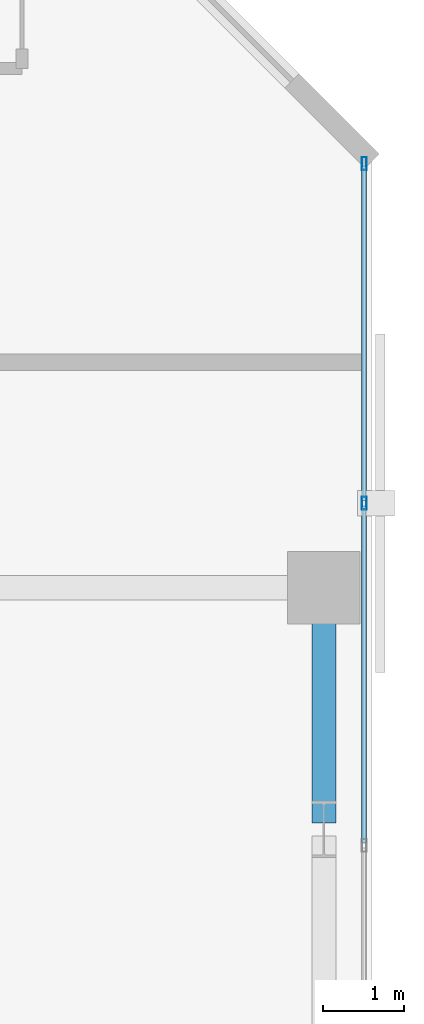
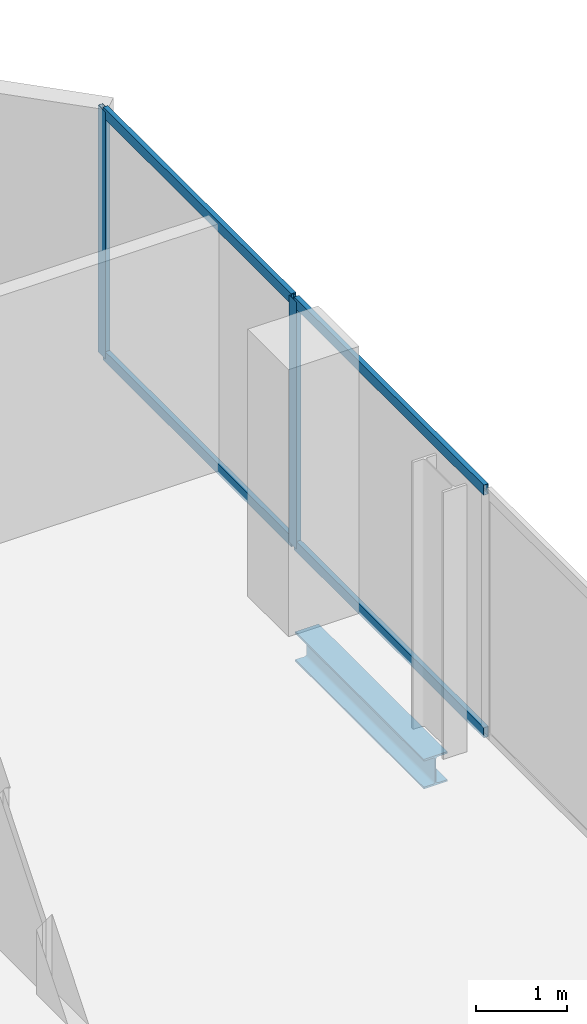
# One storey, part 26 of 34: 6 members, 1 beam, 1 element without a shape of its own.
"""IFC4 building model written with IfcOpenShell, lengths in metres."""

import ifcopenshell
import ifcopenshell.guid

model = None  # the IFC model being written
_history = None  # IfcOwnerHistory: only IFC2X3 demands one
_inside = {}  # id of a spatial element -> (the spatial element, [elements in it])
_under = {}  # id of a project, library or spatial element -> (it, [spatial elements below it])
_declared = {}  # id of a project -> (the project, [libraries it declares])
_typed = {}  # id of a type object -> (the type object, [elements of that type])
_made_of = {}  # id of a material, layer set ... -> (it, [elements and type objects made of it])


def new_model(schema):
    """Start an empty IFC model of exactly this schema.

    Asked for "IFC4X3", IfcOpenShell would pick the latest addendum, in which some entities
    have other attributes; the version numbers below select the first issue.
    IFC2X3 requires an IfcOwnerHistory on every rooted entity: one is made here for all.
    """
    global model, _history
    if schema == "IFC4X3":
        model = ifcopenshell.file(schema_version=(4, 3, 0, 0))
    else:
        model = ifcopenshell.file(schema=schema)
    _inside.clear()
    _under.clear()
    _declared.clear()
    _typed.clear()
    _made_of.clear()
    _history = None
    if model.schema == "IFC2X3":
        org = make("IfcOrganization", Name="unknown")
        user = make(
            "IfcPersonAndOrganization",
            ThePerson=make("IfcPerson", FamilyName="unknown"),
            TheOrganization=org,
        )
        app = make(
            "IfcApplication",
            ApplicationDeveloper=org,
            Version="unknown",
            ApplicationFullName="unknown",
            ApplicationIdentifier="unknown",
        )
        _history = make(
            "IfcOwnerHistory",
            OwningUser=user,
            OwningApplication=app,
            ChangeAction="ADDED",
            CreationDate=0,
        )
    return model


def make(cls, **values):
    """One entity of the class cls with the attributes given. An attribute that is None is left unset."""
    return model.create_entity(
        cls, **{name: value for name, value in values.items() if value is not None}
    )


def rooted(cls, **values):
    """An entity with a GlobalId (a new one), such as an element, a storey or a relation."""
    return make(cls, GlobalId=ifcopenshell.guid.new(), OwnerHistory=_history, **values)


def si_unit(unit_type, name, prefix=None):
    """IfcSIUnit, for example si_unit("LENGTHUNIT", "METRE", prefix="MILLI")."""
    return make("IfcSIUnit", UnitType=unit_type, Prefix=prefix, Name=name)


def assignment(units):
    """IfcUnitAssignment: the units of a project."""
    return None if units is None else make("IfcUnitAssignment", Units=units)


def point(xyz):
    """IfcCartesianPoint."""
    return None if xyz is None else make("IfcCartesianPoint", Coordinates=xyz)


def direction(xyz):
    """IfcDirection."""
    return None if xyz is None else make("IfcDirection", DirectionRatios=xyz)


def frame(location, z_axis=None, x_axis=None):
    """IfcAxis2Placement3D, a coordinate frame: its origin and axes. An axis left out is left unset."""
    return make(
        "IfcAxis2Placement3D",
        Location=point(location),
        Axis=direction(z_axis),
        RefDirection=direction(x_axis),
    )


def frame_2d(location, x_axis=None):
    """IfcAxis2Placement2D, a coordinate frame in the plane: its origin and x axis."""
    return make(
        "IfcAxis2Placement2D", Location=point(location), RefDirection=direction(x_axis)
    )


def origin():
    """The frame at (0, 0, 0) with its axes left unset."""
    return frame((0.0, 0.0, 0.0))


def origin_2d():
    """The frame at (0, 0) in the plane with its x axis left unset."""
    return frame_2d((0.0, 0.0))


def place(relative_to, where):
    """IfcLocalPlacement: puts the frame where relative to a parent placement (None: the world)."""
    return make(
        "IfcLocalPlacement", PlacementRelTo=relative_to, RelativePlacement=where
    )


def context(
    kind, dimensions, precision=None, world=None, true_north=None, identifier=None
):
    """IfcGeometricRepresentationContext, for example the 3D "Model" context."""
    return make(
        "IfcGeometricRepresentationContext",
        ContextIdentifier=identifier,
        ContextType=kind,
        CoordinateSpaceDimension=dimensions,
        Precision=precision,
        WorldCoordinateSystem=world,
        TrueNorth=true_north,
    )


def subcontext(parent, identifier, kind, view, scale=None):
    """IfcGeometricRepresentationSubContext, for example "Body" below "Model"."""
    return make(
        "IfcGeometricRepresentationSubContext",
        ContextIdentifier=identifier,
        ContextType=kind,
        ParentContext=parent,
        TargetScale=scale,
        TargetView=view,
    )


def project(units=None, contexts=None):
    """IfcProject with its units and contexts."""
    return rooted(
        "IfcProject",
        Name="project",
        RepresentationContexts=contexts,
        UnitsInContext=assignment(units),
    )


def spatial(cls, under=None, at=None, **own):
    """A site, building, storey or space (cls), placed at a placement, below another one or the project."""
    s = rooted(cls, ObjectPlacement=at, **own)
    if under is not None:
        _under.setdefault(under.id(), (under, []))[1].append(s)
    return s


def profile(cls, at=None, kind="AREA", **sizes):
    """A parametric profile (cls). Its sizes go by their IFC names, for example OverallWidth=200.0."""
    return make(cls, ProfileType=kind, Position=at, **sizes)


def hollow_rectangle(**sizes):
    """IfcRectangleHollowProfileDef."""
    return profile("IfcRectangleHollowProfileDef", **sizes)


def i_section(**sizes):
    """IfcIShapeProfileDef."""
    return profile("IfcIShapeProfileDef", **sizes)


def extrude(swept, where, along, depth):
    """IfcExtrudedAreaSolid: the profile swept, set in the frame where, extruded along a direction by depth."""
    return make(
        "IfcExtrudedAreaSolid",
        SweptArea=swept,
        Position=where,
        ExtrudedDirection=direction(along),
        Depth=depth,
    )


def shape(context_of_items, identifier, shape_type, items):
    """IfcShapeRepresentation: the items that make up one representation, for example the "Body"."""
    return make(
        "IfcShapeRepresentation",
        ContextOfItems=context_of_items,
        RepresentationIdentifier=identifier,
        RepresentationType=shape_type,
        Items=items,
    )


def material(Name=None, Category=None):
    """IfcMaterial."""
    return make("IfcMaterial", Name=Name, Category=Category)


def layer(
    of_material, thickness, ventilated=None, Name=None, Category=None, Priority=None
):
    """IfcMaterialLayer: one layer of a wall or slab, of a material (None: an air gap)."""
    return make(
        "IfcMaterialLayer",
        Material=of_material,
        LayerThickness=thickness,
        IsVentilated=ventilated,
        Name=Name,
        Category=Category,
        Priority=Priority,
    )


def layer_set(layers, Name=None):
    """IfcMaterialLayerSet."""
    return make("IfcMaterialLayerSet", MaterialLayers=layers, LayerSetName=Name)


def material_profile(
    of_material, cross_section, Name=None, Category=None, Priority=None
):
    """IfcMaterialProfile: a cross section and its material."""
    return make(
        "IfcMaterialProfile",
        Name=Name,
        Material=of_material,
        Profile=cross_section,
        Priority=Priority,
        Category=Category,
    )


def profile_set(profiles, Name=None, composite=None):
    """IfcMaterialProfileSet."""
    return make(
        "IfcMaterialProfileSet",
        Name=Name,
        MaterialProfiles=profiles,
        CompositeProfile=composite,
    )


def made_of(thing, what):
    """Note that an element or type object is made of a material, layer set ...; save() writes the relation."""
    if what is not None:
        _made_of.setdefault(what.id(), (what, []))[1].append(thing)
    return thing


def type_object(cls, material=None, **own):
    """A type object (cls), such as IfcWallType, which elements share."""
    return made_of(rooted(cls, **own), material)


def element(
    cls,
    number,
    at=None,
    inside=None,
    cuts=None,
    type_object=None,
    material=None,
    context=None,
    identifier="Body",
    shape_type=None,
    held_by="IfcProductDefinitionShape",
    body=None,
    shapes=None,
    **own,
):
    """One element of the class cls, such as IfcWall. Its Tag is "e" and its number.

    at: its placement. inside: the storey or other place that contains it. cuts: it is an
    opening in that element (IfcRelVoidsElement). A single representation is given by context,
    identifier, shape_type and body (its items); several are given by shapes. held_by: the class
    of the entity that holds the representations. save() writes the other relations.
    """
    e = rooted(cls, Tag="e%d" % number, ObjectPlacement=at, **own)
    if body is not None:
        shapes = [shape(context, identifier, shape_type, body)]
    if shapes is not None:
        e.Representation = make(held_by, Representations=shapes)
    if inside is not None:
        _inside.setdefault(inside.id(), (inside, []))[1].append(e)
    if cuts is not None:
        rooted(
            "IfcRelVoidsElement", RelatingBuildingElement=cuts, RelatedOpeningElement=e
        )
    if type_object is not None:
        _typed.setdefault(type_object.id(), (type_object, []))[1].append(e)
    return made_of(e, material)


def aggregate(whole, parts):
    """IfcRelAggregates: a whole, such as a stair, and the parts it consists of."""
    return rooted("IfcRelAggregates", RelatingObject=whole, RelatedObjects=parts)


def save(model, path):
    """Write the relations noted so far, then the file.

    IfcRelAggregates (storeys below a building ...), IfcRelContainedInSpatialStructure (elements
    in a storey), IfcRelDefinesByType, IfcRelAssociatesMaterial and IfcRelDeclares: one each for
    every whole, place, type object, material and project.
    """
    for whole, parts in _under.values():
        aggregate(whole, parts)
    for where, things in _inside.values():
        rooted(
            "IfcRelContainedInSpatialStructure",
            RelatedElements=things,
            RelatingStructure=where,
        )
    for kind, things in _typed.values():
        rooted("IfcRelDefinesByType", RelatedObjects=things, RelatingType=kind)
    for what, things in _made_of.values():
        rooted("IfcRelAssociatesMaterial", RelatedObjects=things, RelatingMaterial=what)
    for by, libraries in _declared.values():
        rooted("IfcRelDeclares", RelatingContext=by, RelatedDefinitions=libraries)
    model.write(path)


model = new_model("IFC4")

# Units and contexts
model_context = context("Model", 3, precision=1e-05, world=origin(), true_north=direction((0.0, 1.0)))
body_context = subcontext(model_context, "Body", "Model", "MODEL_VIEW")
ifc_project = project(units=[si_unit("LENGTHUNIT", "METRE"), si_unit("AREAUNIT", "SQUARE_METRE"), si_unit("VOLUMEUNIT", "CUBIC_METRE"), si_unit("PLANEANGLEUNIT", "RADIAN"), si_unit("MASSUNIT", "GRAM", prefix="KILO")], contexts=[model_context])

# Site, building, storey
site_placement = place(None, origin())
site = spatial("IfcSite", under=ifc_project, at=site_placement, CompositionType="ELEMENT")
building_placement = place(site_placement, origin())
building = spatial("IfcBuilding", under=site, at=building_placement, Name="Catumbela Crestline Tower", CompositionType="ELEMENT")
storey_placement = place(building_placement, frame((0.0, 0.0, 93.6)))
storey = spatial("IfcBuildingStorey", under=building, at=storey_placement, Name="L23", CompositionType="ELEMENT", Elevation=93.6)

# Curtain wall, members
ifc_material_1 = material(Name="Aluminium alloy AW-6060-T66", Category="aluminium")
ifc_layer = layer(ifc_material_1, 0.18, Name="Aluminium alloy AW-6060-T66")
ifc_layer_set = layer_set([ifc_layer], Name="Aluminium alloy AW-6060-T66")
curtain_wall_type = type_object("IfcCurtainWallType", Name="CWU-Z2", PredefinedType="USERDEFINED", material=ifc_layer_set)
curtain_wall_placement = place(storey_placement, origin())
curtain_wall = element("IfcCurtainWall", 1, at=curtain_wall_placement, inside=storey, type_object=curtain_wall_type, Name="L23 Unitised Curtain Wall CW-L23-E5S1", ObjectType="UNITISED", PredefinedType="USERDEFINED")
ifc_material_profile_1 = material_profile(ifc_material_1, hollow_rectangle(XDim=0.06, YDim=0.16, WallThickness=0.004, at=origin_2d()), Name="ALU 160x60x4")
ifc_profile_set_1 = profile_set([ifc_material_profile_1], Name="Aluminium alloy AW-6060-T66")
member_type_1 = type_object("IfcMemberType", Name="MUL-160X60", PredefinedType="MULLION", material=ifc_profile_set_1)
member_1_placement = place(storey_placement, frame((50.9, 40.25, 0.0), z_axis=(0.0, 0.0, 1.0), x_axis=(-1.0, 0.0, 0.0)))
member_1 = element("IfcMember", 2, at=member_1_placement, type_object=member_type_1, Name="CWU-Z2 mullion 4", PredefinedType="MULLION", context=body_context, shape_type="SweptSolid", body=[
    extrude(hollow_rectangle(XDim=0.06, YDim=0.16, WallThickness=0.004, at=origin_2d()), origin(), (0.0, 0.0, 1.0), 3.33),
])
member_2_placement = place(storey_placement, frame((50.9, 44.4675, 0.0), z_axis=(0.0, 0.0, 1.0), x_axis=(-1.0, 0.0, 0.0)))
member_2 = element("IfcMember", 3, at=member_2_placement, type_object=member_type_1, Name="CWU-Z2 mullion 5", PredefinedType="MULLION", context=body_context, shape_type="SweptSolid", body=[
    extrude(hollow_rectangle(XDim=0.06, YDim=0.16, WallThickness=0.004, at=origin_2d()), origin(), (0.0, 0.0, 1.0), 3.33),
])

# Beam
ifc_material_2 = material(Name="Structural steel S355J2", Category="steel")
ifc_material_profile_2 = material_profile(ifc_material_2, i_section(OverallWidth=0.3, OverallDepth=0.4, WebThickness=0.0135, FlangeThickness=0.024, FilletRadius=0.027, at=origin_2d()), Name="HEB 400")
ifc_profile_set_2 = profile_set([ifc_material_profile_2], Name="Structural steel S355J2")
beam_type = type_object("IfcBeamType", Name="BS-HEB400", PredefinedType="SPANDREL", material=ifc_profile_set_2)
beam_placement = place(storey_placement, frame((50.4, 36.28, -0.46), z_axis=(0.0, 1.0, 0.0), x_axis=(-1.0, 0.0, 0.0)))
element("IfcBeam", 4, at=beam_placement, inside=storey, type_object=beam_type, Name="L23 Spandrel SP-L23-SN36", PredefinedType="SPANDREL", context=body_context, shape_type="SweptSolid", body=[
    extrude(i_section(OverallWidth=0.3, OverallDepth=0.4, WebThickness=0.0135, FlangeThickness=0.024, FilletRadius=0.027, at=origin_2d()), origin(), (0.0, 0.0, 1.0), 2.84),
])

# Member
ifc_material_profile_3 = material_profile(ifc_material_1, hollow_rectangle(XDim=0.06, YDim=0.14, WallThickness=0.004, at=origin_2d()), Name="ALU 140x60x4")
ifc_profile_set_3 = profile_set([ifc_material_profile_3], Name="Aluminium alloy AW-6060-T66")
member_type_2 = type_object("IfcMemberType", Name="TRN-140X60", PredefinedType="USERDEFINED", material=ifc_profile_set_3)
member_3_placement = place(storey_placement, frame((50.9, 36.0325, 0.03), z_axis=(0.0, 1.0, 0.0), x_axis=(-1.0, 0.0, 0.0)))
member_3 = element("IfcMember", 5, at=member_3_placement, type_object=member_type_2, Name="CWU-Z2 transom 3.1", ObjectType="TRANSOM", PredefinedType="USERDEFINED", context=body_context, shape_type="SweptSolid", body=[
    extrude(hollow_rectangle(XDim=0.06, YDim=0.14, WallThickness=0.004, at=origin_2d()), origin(), (0.0, 0.0, 1.0), 4.185),
])

member_4_placement = place(storey_placement, frame((50.9, 36.0325, 3.3), z_axis=(0.0, 1.0, 0.0), x_axis=(-1.0, 0.0, 0.0)))
member_4 = element("IfcMember", 6, at=member_4_placement, type_object=member_type_2, Name="CWU-Z2 transom 3.2", ObjectType="TRANSOM", PredefinedType="USERDEFINED", context=body_context, shape_type="SweptSolid", body=[
    extrude(hollow_rectangle(XDim=0.06, YDim=0.14, WallThickness=0.004, at=origin_2d()), origin(), (0.0, 0.0, 1.0), 4.185),
])

member_5_placement = place(storey_placement, frame((50.9, 40.2825, 0.03), z_axis=(0.0, 1.0, 0.0), x_axis=(-1.0, 0.0, 0.0)))
member_5 = element("IfcMember", 7, at=member_5_placement, type_object=member_type_2, Name="CWU-Z2 transom 4.1", ObjectType="TRANSOM", PredefinedType="USERDEFINED", context=body_context, shape_type="SweptSolid", body=[
    extrude(hollow_rectangle(XDim=0.06, YDim=0.14, WallThickness=0.004, at=origin_2d()), origin(), (0.0, 0.0, 1.0), 4.1525),
])

member_6_placement = place(storey_placement, frame((50.9, 40.2825, 3.3), z_axis=(0.0, 1.0, 0.0), x_axis=(-1.0, 0.0, 0.0)))
member_6 = element("IfcMember", 8, at=member_6_placement, type_object=member_type_2, Name="CWU-Z2 transom 4.2", ObjectType="TRANSOM", PredefinedType="USERDEFINED", context=body_context, shape_type="SweptSolid", body=[
    extrude(hollow_rectangle(XDim=0.06, YDim=0.14, WallThickness=0.004, at=origin_2d()), origin(), (0.0, 0.0, 1.0), 4.1525),
])

aggregate(curtain_wall, [member_1, member_2, member_3, member_4, member_5, member_6])

save(model, "model.ifc")
